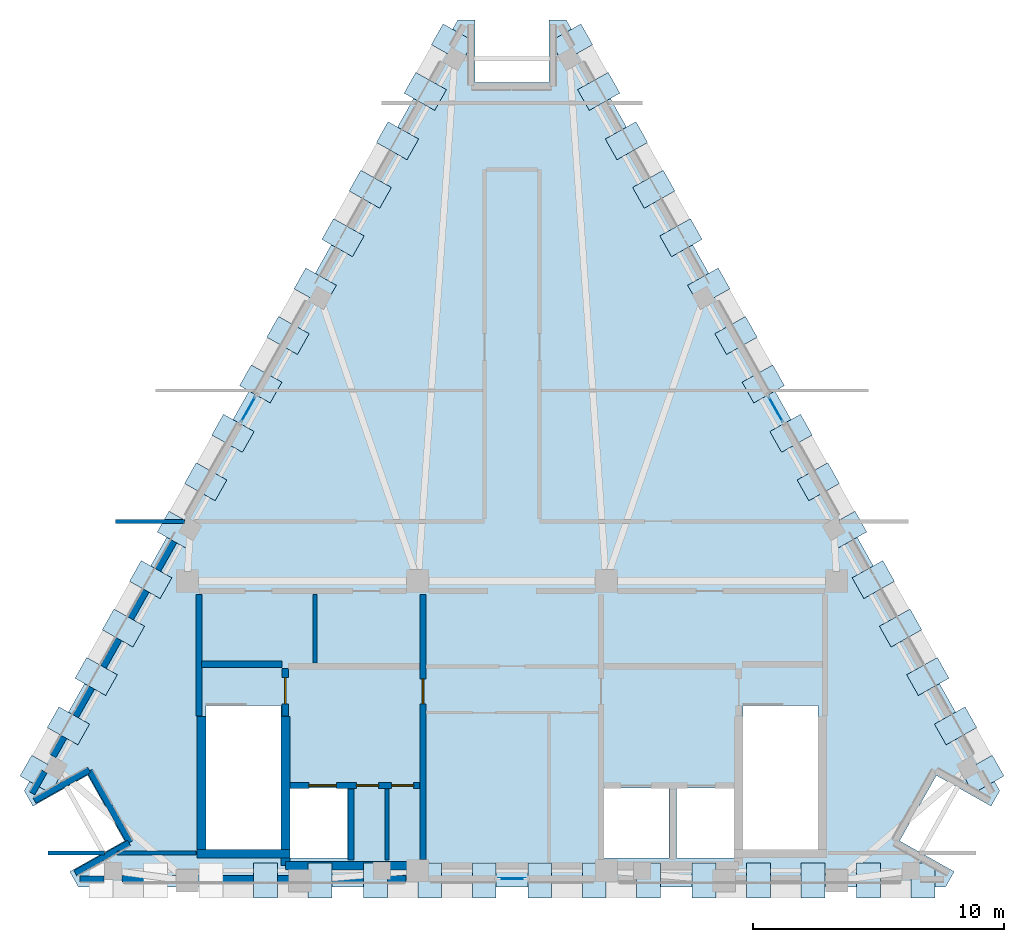
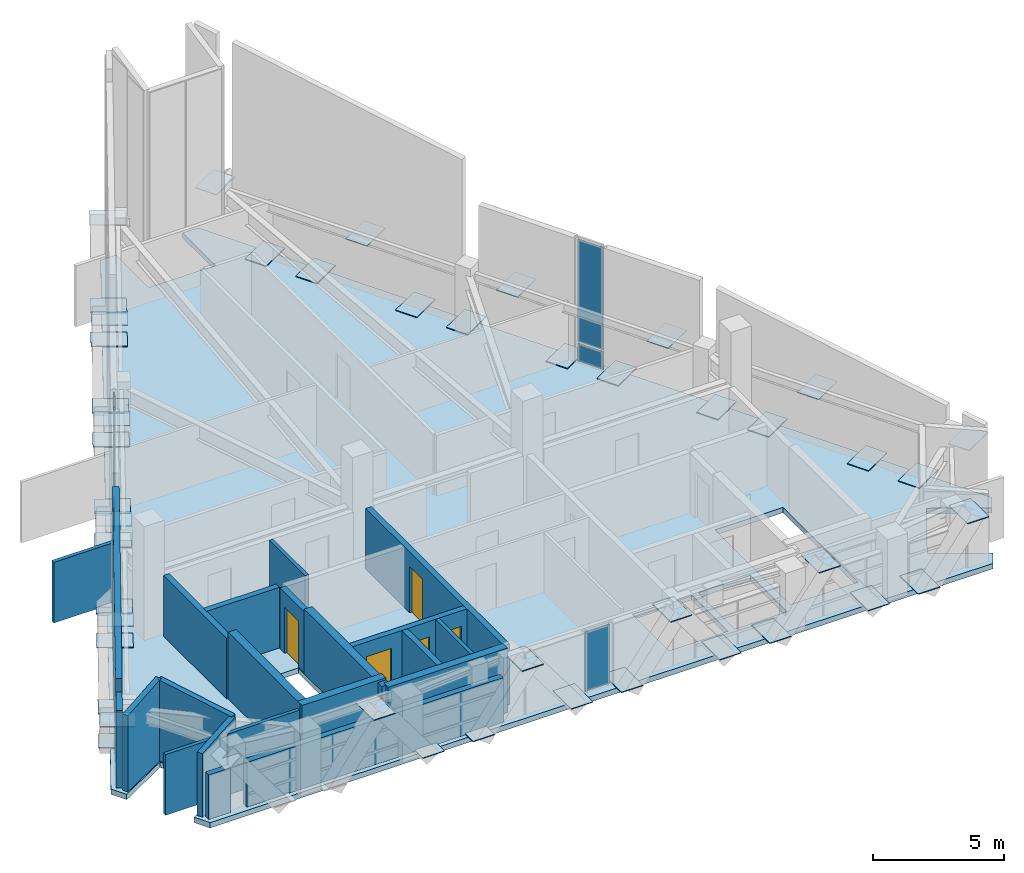
# One storey, part 3 of 7: 50 plates, 22 walls, 5 doors, 1 slab, 5 openings, 3 elements without a shape of their own.
"""IFC4 building model written with IfcOpenShell, lengths in metres."""

from ifc_helpers import new_model, si_unit, direction, frame, frame_2d, origin, origin_2d, place, context, subcontext, project, spatial, polyline, rectangle, outline, extrude, material, layer, layer_set, type_object, element, fill, aggregate, save


model = new_model("IFC4")

# Units and contexts
model_context = context("Model", 3, precision=1e-05, world=origin(), true_north=direction((0.0, 1.0)))
body_context = subcontext(model_context, "Body", "Model", "MODEL_VIEW")
ifc_project = project(units=[si_unit("LENGTHUNIT", "METRE"), si_unit("AREAUNIT", "SQUARE_METRE"), si_unit("VOLUMEUNIT", "CUBIC_METRE"), si_unit("PLANEANGLEUNIT", "RADIAN"), si_unit("MASSUNIT", "GRAM", prefix="KILO")], contexts=[model_context])

# Site, building, storey
site_placement = place(None, origin())
site = spatial("IfcSite", under=ifc_project, at=site_placement, CompositionType="ELEMENT")
building_placement = place(site_placement, origin())
building = spatial("IfcBuilding", under=site, at=building_placement, Name="Quenlor Broadcast Tower", CompositionType="ELEMENT")
storey_placement = place(building_placement, frame((0.0, 0.0, 286.89990234375)))
storey = spatial("IfcBuildingStorey", under=building, at=storey_placement, Name="L80", CompositionType="ELEMENT", Elevation=286.89990234375)

# Curtain wall, plate
ifc_material_1 = material(Name="Architectural Terracotta and Low-E Glazing", Category="masonry")
curtain_wall_type = type_object("IfcCurtainWallType", Name="Station Concourse and Crown Terracotta Curtain Wall", PredefinedType="NOTDEFINED", material=ifc_material_1)
curtain_wall_1_placement = place(storey_placement, origin())
curtain_wall_1 = element("IfcCurtainWall", 1, at=curtain_wall_1_placement, inside=storey, type_object=curtain_wall_type, Name="L80 Curtain Wall CW6 (L80-S-G1)", PredefinedType="NOTDEFINED")
ifc_material_2 = material(Name="Double Glazed Low-E Solar Glass", Category="glass")
ifc_layer_1 = layer(ifc_material_2, 0.033935546875)
ifc_layer_set_1 = layer_set([ifc_layer_1], Name="CW6 Double Glazed Vision Panel 34")
plate_type_1 = type_object("IfcPlateType", Name="CW6 Double Glazed Vision Panel 34", PredefinedType="CURTAIN_PANEL", material=ifc_layer_set_1)
plate_1_placement = place(storey_placement, frame((0.0, -16.675048828125, 0.08203125), z_axis=(0.0, 0.0, 1.0), x_axis=(-1.0, 0.0, 0.0)))
plate_1 = element("IfcPlate", 2, at=plate_1_placement, type_object=plate_type_1, Name="CW6 panel 1.1", PredefinedType="CURTAIN_PANEL", context=body_context, shape_type="SweptSolid", body=[
    extrude(rectangle(XDim=1.08154296875, YDim=0.033935546875, at=origin_2d()), origin(), (0.0, 0.0, 1.0), 2.752197265625),
])
aggregate(curtain_wall_1, [plate_1])

# Curtain wall, plates
curtain_wall_2_placement = place(storey_placement, origin())
curtain_wall_2 = element("IfcCurtainWall", 3, at=curtain_wall_2_placement, inside=storey, type_object=curtain_wall_type, Name="L80 Curtain Wall CW6 (L80-NE-G1)", PredefinedType="NOTDEFINED")
plate_2_placement = place(storey_placement, frame((10.5166015625, 2.040771484375, 0.08203125), z_axis=(0.0, 0.0, 1.0), x_axis=(0.490290565837, -0.871559040485, 0.0)))
plate_2 = element("IfcPlate", 4, at=plate_2_placement, type_object=plate_type_1, Name="CW6 panel 1.1", PredefinedType="CURTAIN_PANEL", context=body_context, shape_type="SweptSolid", body=[
    extrude(rectangle(XDim=1.131103515625, YDim=0.033935546875, at=origin_2d()), origin(), (0.0, 0.0, 1.0), 0.826904296875),
])
plate_3_placement = place(storey_placement, frame((10.5166015625, 2.040771484375, 0.9912109375), z_axis=(0.0, 0.0, 1.0), x_axis=(0.490290565837, -0.871559040485, 0.0)))
plate_3 = element("IfcPlate", 5, at=plate_3_placement, type_object=plate_type_1, Name="CW6 panel 1.2", PredefinedType="CURTAIN_PANEL", context=body_context, shape_type="SweptSolid", body=[
    extrude(rectangle(XDim=1.131103515625, YDim=0.033935546875, at=origin_2d()), origin(), (0.0, 0.0, 1.0), 4.779052734375),
])
aggregate(curtain_wall_2, [plate_2, plate_3])

curtain_wall_3_placement = place(storey_placement, origin())
curtain_wall_3 = element("IfcCurtainWall", 6, at=curtain_wall_3_placement, inside=storey, type_object=curtain_wall_type, Name="L80 Curtain Wall CW6 (L80-NW-G1)", PredefinedType="NOTDEFINED")
plate_4_placement = place(storey_placement, frame((-10.5166015625, 2.040771484375, 0.08203125), z_axis=(0.0, 0.0, 1.0), x_axis=(0.490290565837, 0.871559040485, 0.0)))
plate_4 = element("IfcPlate", 7, at=plate_4_placement, type_object=plate_type_1, Name="CW6 panel 1.1", PredefinedType="CURTAIN_PANEL", context=body_context, shape_type="SweptSolid", body=[
    extrude(rectangle(XDim=1.131103515625, YDim=0.033935546875, at=origin_2d()), origin(), (0.0, 0.0, 1.0), 0.826904296875),
])
plate_5_placement = place(storey_placement, frame((-10.5166015625, 2.040771484375, 0.9912109375), z_axis=(0.0, 0.0, 1.0), x_axis=(0.490290565837, 0.871559040485, 0.0)))
plate_5 = element("IfcPlate", 8, at=plate_5_placement, type_object=plate_type_1, Name="CW6 panel 1.2", PredefinedType="CURTAIN_PANEL", context=body_context, shape_type="SweptSolid", body=[
    extrude(rectangle(XDim=1.131103515625, YDim=0.033935546875, at=origin_2d()), origin(), (0.0, 0.0, 1.0), 4.779052734375),
])
aggregate(curtain_wall_3, [plate_4, plate_5])

# Slab
ifc_material_3 = material(Name="Concrete C50/60", Category="concrete")
ifc_layer_2 = layer(ifc_material_3, 0.320068359375)
ifc_layer_set_2 = layer_set([ifc_layer_2], Name="Crown Plant Concrete C50/60 Slab 320")
slab_type = type_object("IfcSlabType", Name="Crown Plant Concrete C50/60 Slab 320", PredefinedType="FLOOR", material=ifc_layer_set_2)
slab_placement = place(storey_placement, frame((0.0, 0.0, -0.25)))
element("IfcSlab", 9, at=slab_placement, inside=storey, type_object=slab_type, Name="L80 Structural Floor Slab", PredefinedType="FLOOR", context=body_context, shape_type="SweptSolid", body=[
    extrude(outline(polyline([(17.280029296875, -17.0), (17.62548828125, -16.385498046875), (15.44677734375, -15.159912109375), (16.91552734375, -12.548583984375), (19.094482421875, -13.7744140625), (19.43994140625, -13.159912109375), (2.159912109375, 17.56005859375), (1.46875, 17.56005859375), (1.46875, 15.06005859375), (-1.46875, 15.06005859375), (-1.46875, 17.56005859375), (-2.159912109375, 17.56005859375), (-19.43994140625, -13.159912109375), (-19.094482421875, -13.7744140625), (-16.91552734375, -12.548583984375), (-15.44677734375, -15.159912109375), (-17.62548828125, -16.385498046875), (-17.280029296875, -17.0), (17.280029296875, -17.0)]), holes=[polyline([(-12.199951171875, -9.758056640625), (-12.199951171875, -15.5), (-9.199951171875, -15.5), (-9.199951171875, -9.758056640625), (-12.199951171875, -9.758056640625)]), polyline([(9.199951171875, -9.758056640625), (9.199951171875, -15.5), (12.199951171875, -15.5), (12.199951171875, -9.758056640625), (9.199951171875, -9.758056640625)]), polyline([(-8.85009765625, -15.85009765625), (-6.550048828125, -15.85009765625), (-6.550048828125, -13.050048828125), (-8.85009765625, -13.050048828125), (-8.85009765625, -15.85009765625)]), polyline([(6.550048828125, -15.85009765625), (8.85009765625, -15.85009765625), (8.85009765625, -13.050048828125), (6.550048828125, -13.050048828125), (6.550048828125, -15.85009765625)]), polyline([(3.64990234375, -15.85009765625), (6.25, -15.85009765625), (6.25, -13.050048828125), (3.64990234375, -13.050048828125), (3.64990234375, -15.85009765625)])]), origin(), (0.0, 0.0, 1.0), 0.25),
])

# Plates
ifc_material_4 = material(Name="Steel S355", Category="steel")
ifc_layer_3 = layer(ifc_material_4, 0.035888671875)
ifc_layer_set_3 = layer_set([ifc_layer_3], Name="Transfer Truss Steel S355 Gusset Node Plate 1400x950x36")
plate_type_2 = type_object("IfcPlateType", Name="Transfer Truss Steel S355 Gusset Node Plate 1400x950x36", PredefinedType="SHEET", material=ifc_layer_set_3)
for number, where, z_axis, x_axis, name in (
    (10, (11.998779296875, -16.735107421875, 0.0419921875), (0.0, 0.0, 1.0), (0.0, -1.0, 0.0), "L80 Lattice Tie Gusset Node S-B2"),
    (11, (9.827880859375, -16.735107421875, 2.56787109375), (0.0, 0.0, 1.0), (0.0, -1.0, 0.0), "L80 Lattice Tie Gusset Node S-T3"),
    (12, (14.208984375, -16.735107421875, 0.0419921875), (0.0, 0.0, 1.0), (0.0, -1.0, 0.0), "L80 Lattice Tie Gusset Node S-B1"),
    (13, (16.3798828125, -16.735107421875, 2.56787109375), (0.0, 0.0, 1.0), (0.0, -1.0, 0.0), "L80 Lattice Tie Gusset Node S-T0"),
    (14, (5.447021484375, -16.735107421875, 0.0419921875), (0.0, 0.0, 1.0), (0.0, -1.0, 0.0), "L80 Lattice Tie Gusset Node S-B5"),
    (15, (3.27587890625, -16.735107421875, 2.56787109375), (0.0, 0.0, 1.0), (0.0, -1.0, 0.0), "L80 Lattice Tie Gusset Node S-T6"),
    (16, (7.656982421875, -16.735107421875, 0.0419921875), (0.0, 0.0, 1.0), (0.0, -1.0, 0.0), "L80 Lattice Tie Gusset Node S-B4"),
    (17, (-1.10498046875, -16.735107421875, 0.0419921875), (0.0, 0.0, 1.0), (0.0, -1.0, 0.0), "L80 Lattice Tie Gusset Node S-B8"),
    (18, (-3.27587890625, -16.735107421875, 2.56787109375), (0.0, 0.0, 1.0), (0.0, -1.0, 0.0), "L80 Lattice Tie Gusset Node S-T9"),
    (19, (1.10498046875, -16.735107421875, 0.0419921875), (0.0, 0.0, 1.0), (0.0, -1.0, 0.0), "L80 Lattice Tie Gusset Node S-B7"),
    (20, (-7.656982421875, -16.735107421875, 0.0419921875), (0.0, 0.0, 1.0), (0.0, -1.0, 0.0), "L80 Lattice Tie Gusset Node S-B11"),
    (21, (-9.827880859375, -16.735107421875, 2.56787109375), (0.0, 0.0, 1.0), (0.0, -1.0, 0.0), "L80 Lattice Tie Gusset Node S-T12"),
    (22, (-5.447021484375, -16.735107421875, 0.0419921875), (0.0, 0.0, 1.0), (0.0, -1.0, 0.0), "L80 Lattice Tie Gusset Node S-B10"),
    (23, (4.56298828125, 12.747314453125, 0.0419921875), (0.0, 0.0, 1.0), (0.871556314255, 0.490295412055, 0.0), "L80 Lattice Tie Gusset Node NE-B2"),
    (24, (5.649658203125, 10.8154296875, 2.5751953125), (0.0, 0.0, 1.0), (0.871556314255, 0.490295412055, 0.0), "L80 Lattice Tie Gusset Node NE-T3"),
    (25, (3.456787109375, 14.7138671875, 0.0419921875), (0.0, 0.0, 1.0), (0.871556314255, 0.490295412055, 0.0), "L80 Lattice Tie Gusset Node NE-B1"),
    (26, (2.3701171875, 16.645751953125, 2.5751953125), (0.0, 0.0, 1.0), (0.871556314255, 0.490295412055, 0.0), "L80 Lattice Tie Gusset Node NE-T0"),
    (27, (7.842529296875, 6.9169921875, 0.0419921875), (0.0, 0.0, 1.0), (0.871556314255, 0.490295412055, 0.0), "L80 Lattice Tie Gusset Node NE-B5"),
    (28, (8.92919921875, 4.985107421875, 2.5751953125), (0.0, 0.0, 1.0), (0.871556314255, 0.490295412055, 0.0), "L80 Lattice Tie Gusset Node NE-T6"),
    (29, (6.736328125, 8.8837890625, 0.0419921875), (0.0, 0.0, 1.0), (0.871556314255, 0.490295412055, 0.0), "L80 Lattice Tie Gusset Node NE-B4"),
    (30, (11.1220703125, 1.086669921875, 0.0419921875), (0.0, 0.0, 1.0), (0.871556314255, 0.490295412055, 0.0), "L80 Lattice Tie Gusset Node NE-B8"),
    (31, (12.208740234375, -0.844970703125, 2.5751953125), (0.0, 0.0, 1.0), (0.871556314255, 0.490295412055, 0.0), "L80 Lattice Tie Gusset Node NE-T9"),
    (32, (10.015869140625, 3.053466796875, 0.0419921875), (0.0, 0.0, 1.0), (0.871556314255, 0.490295412055, 0.0), "L80 Lattice Tie Gusset Node NE-B7"),
    (33, (14.401611328125, -4.743408203125, 0.0419921875), (0.0, 0.0, 1.0), (0.871556314255, 0.490295412055, 0.0), "L80 Lattice Tie Gusset Node NE-B11"),
    (34, (15.48828125, -6.67529296875, 2.5751953125), (0.0, 0.0, 1.0), (0.871556314255, 0.490295412055, 0.0), "L80 Lattice Tie Gusset Node NE-T12"),
    (35, (13.29541015625, -2.77685546875, 0.0419921875), (0.0, 0.0, 1.0), (0.871556314255, 0.490295412055, 0.0), "L80 Lattice Tie Gusset Node NE-B10"),
    (36, (17.68115234375, -10.57373046875, 0.0419921875), (0.0, 0.0, 1.0), (0.871556314255, 0.490295412055, 0.0), "L80 Lattice Tie Gusset Node NE-B14"),
    (37, (18.767822265625, -12.505615234375, 2.5751953125), (0.0, 0.0, 1.0), (0.871556314255, 0.490295412055, 0.0), "L80 Lattice Tie Gusset Node NE-T15"),
    (38, (16.574951171875, -8.60693359375, 0.0419921875), (0.0, 0.0, 1.0), (0.871556314255, 0.490295412055, 0.0), "L80 Lattice Tie Gusset Node NE-B13"),
    (39, (-16.574951171875, -8.60693359375, 0.0419921875), (0.0, 0.0, 1.0), (-0.871556314255, 0.490295412055, 0.0), "L80 Lattice Tie Gusset Node NW-B2"),
    (40, (-15.48828125, -6.67529296875, 2.5751953125), (0.0, 0.0, 1.0), (-0.871556314255, 0.490295412055, 0.0), "L80 Lattice Tie Gusset Node NW-T3"),
    (41, (-17.68115234375, -10.57373046875, 0.0419921875), (0.0, 0.0, 1.0), (-0.871556314255, 0.490295412055, 0.0), "L80 Lattice Tie Gusset Node NW-B1"),
    (42, (-18.767822265625, -12.505615234375, 2.5751953125), (0.0, 0.0, 1.0), (-0.871556314255, 0.490295412055, 0.0), "L80 Lattice Tie Gusset Node NW-T0"),
    (43, (-13.29541015625, -2.77685546875, 0.0419921875), (0.0, 0.0, 1.0), (-0.871556314255, 0.490295412055, 0.0), "L80 Lattice Tie Gusset Node NW-B5"),
    (44, (-12.208740234375, -0.844970703125, 2.5751953125), (0.0, 0.0, 1.0), (-0.871556314255, 0.490295412055, 0.0), "L80 Lattice Tie Gusset Node NW-T6"),
    (45, (-14.401611328125, -4.743408203125, 0.0419921875), (0.0, 0.0, 1.0), (-0.871556314255, 0.490295412055, 0.0), "L80 Lattice Tie Gusset Node NW-B4"),
    (46, (-10.015869140625, 3.053466796875, 0.0419921875), (0.0, 0.0, 1.0), (-0.871556314255, 0.490295412055, 0.0), "L80 Lattice Tie Gusset Node NW-B8"),
    (47, (-8.92919921875, 4.985107421875, 2.5751953125), (0.0, 0.0, 1.0), (-0.871556314255, 0.490295412055, 0.0), "L80 Lattice Tie Gusset Node NW-T9"),
    (48, (-11.1220703125, 1.086669921875, 0.0419921875), (0.0, 0.0, 1.0), (-0.871556314255, 0.490295412055, 0.0), "L80 Lattice Tie Gusset Node NW-B7"),
    (49, (-6.736328125, 8.8837890625, 0.0419921875), (0.0, 0.0, 1.0), (-0.871556314255, 0.490295412055, 0.0), "L80 Lattice Tie Gusset Node NW-B11"),
    (50, (-5.649658203125, 10.8154296875, 2.5751953125), (0.0, 0.0, 1.0), (-0.871556314255, 0.490295412055, 0.0), "L80 Lattice Tie Gusset Node NW-T12"),
    (51, (-7.842529296875, 6.9169921875, 0.0419921875), (0.0, 0.0, 1.0), (-0.871556314255, 0.490295412055, 0.0), "L80 Lattice Tie Gusset Node NW-B10"),
    (52, (-3.456787109375, 14.7138671875, 0.0419921875), (0.0, 0.0, 1.0), (-0.871556314255, 0.490295412055, 0.0), "L80 Lattice Tie Gusset Node NW-B14"),
    (53, (-2.3701171875, 16.645751953125, 2.5751953125), (0.0, 0.0, 1.0), (-0.871556314255, 0.490295412055, 0.0), "L80 Lattice Tie Gusset Node NW-T15"),
    (54, (-4.56298828125, 12.747314453125, 0.0419921875), (0.0, 0.0, 1.0), (-0.871556314255, 0.490295412055, 0.0), "L80 Lattice Tie Gusset Node NW-B13"),
):
    element("IfcPlate", number, at=place(storey_placement, frame(where, z_axis=z_axis, x_axis=x_axis)), inside=storey, type_object=plate_type_2, Name=name, PredefinedType="SHEET", context=body_context, shape_type="SweptSolid", body=[
        extrude(rectangle(XDim=1.39990234375, YDim=0.949951171875, at=origin_2d()), origin(), (0.0, 0.0, 1.0), 0.035888671875),
    ])

# Walls
ifc_material_5 = material(Name="Concrete C50/60", Category="concrete")
ifc_layer_4 = layer(ifc_material_5, 0.35009765625)
ifc_layer_set_4 = layer_set([ifc_layer_4], Name="Core Concrete C50/60 Shear Wall 350")
wall_type_1 = type_object("IfcWallType", Name="Core Concrete C50/60 Shear Wall 350", PredefinedType="SHEAR", material=ifc_layer_set_4)
wall_1_placement = place(storey_placement, frame((-12.550048828125, -15.675048828125, 0.0), z_axis=(0.0, 0.0, 1.0), x_axis=(1.0, 0.0, 0.0)))
element("IfcWall", 55, at=wall_1_placement, inside=storey, type_object=wall_type_1, Name="L80 Core Shear Wall WS-W1", PredefinedType="SHEAR", context=body_context, shape_type="SweptSolid", body=[
    extrude(rectangle(XDim=3.699951171875, YDim=0.35009765625, at=frame_2d((1.85009765625, 0.0))), origin(), (0.0, 0.0, 1.0), 3.109619140625),
])
wall_2_placement = place(storey_placement, frame((-9.02490234375, -16.14990234375, 0.0), z_axis=(0.0, 0.0, 1.0), x_axis=(1.0, 0.0, 0.0)))
element("IfcWall", 56, at=wall_2_placement, inside=storey, type_object=wall_type_1, Name="L80 Core Shear Wall WS-W2", PredefinedType="SHEAR", context=body_context, shape_type="SweptSolid", body=[
    extrude(rectangle(XDim=5.27490234375, YDim=0.35009765625, at=frame_2d((2.637451171875, 0.0))), origin(), (0.0, 0.0, 1.0), 3.012939453125),
])
wall_3_placement = place(storey_placement, frame((-12.375, -15.675048828125, 0.0), z_axis=(0.0, 0.0, 1.0), x_axis=(0.0, 1.0, 0.0)))
element("IfcWall", 57, at=wall_3_placement, inside=storey, type_object=wall_type_1, Name="L80 Core Shear Wall WF-W", PredefinedType="SHEAR", context=body_context, shape_type="SweptSolid", body=[
    extrude(rectangle(XDim=5.47509765625, YDim=0.35009765625, at=frame_2d((2.737548828125, 0.0))), origin(), (0.0, 0.0, 1.0), 3.109619140625),
])
wall_4_placement = place(storey_placement, frame((-9.02490234375, -16.14990234375, 0.0), z_axis=(0.0, 0.0, 1.0), x_axis=(0.0, 1.0, 0.0)))
element("IfcWall", 58, at=wall_4_placement, inside=storey, type_object=wall_type_1, Name="L80 Core Shear Wall WI-W", PredefinedType="SHEAR", context=body_context, shape_type="SweptSolid", body=[
    extrude(rectangle(XDim=5.949951171875, YDim=0.35009765625, at=frame_2d((2.97509765625, 0.0))), origin(), (0.0, 0.0, 1.0), 3.012939453125),
])

# Wall, opening, door
ifc_material_6 = material(Name="Concrete C40/50", Category="concrete")
ifc_layer_5 = layer(ifc_material_6, 0.25)
ifc_layer_set_5 = layer_set([ifc_layer_5], Name="Fire Rated Concrete C40/50 Core Wall 250")
wall_type_2 = type_object("IfcWallType", Name="Fire Rated Concrete C40/50 Core Wall 250", PredefinedType="PARTITIONING", material=ifc_layer_set_5)
wall_5_placement = place(storey_placement, frame((-9.0400390625, -10.179931640625, 0.0), z_axis=(0.0, 0.0, 1.0), x_axis=(0.0, 1.0, 0.0)))
wall_5 = element("IfcWall", 59, at=wall_5_placement, inside=storey, type_object=wall_type_2, Name="L80 Interior Wall CW-ST1-DR", PredefinedType="PARTITIONING", context=body_context, shape_type="SweptSolid", body=[
    extrude(rectangle(XDim=1.89990234375, YDim=0.25, at=frame_2d((0.949951171875, 0.0))), origin(), (0.0, 0.0, 1.0), 2.8330078125),
])
opening_1_placement = place(wall_5_placement, frame((0.47998046875, 0.0, 0.0)))
opening_1 = element("IfcOpeningElement", 60, at=opening_1_placement, cuts=wall_5, Name="Opening FD-1", PredefinedType="OPENING", context=body_context, shape_type="SweptSolid", body=[
    extrude(rectangle(XDim=1.050048828125, YDim=2.14990234375, at=frame_2d((0.52490234375, 1.074951171875))), frame((0.0, 0.135009765625, 0.0), z_axis=(0.0, -1.0, 0.0), x_axis=(1.0, 0.0, 0.0)), (0.0, 0.0, 1.0), 0.27001953125),
])
ifc_material_7 = material(Name="Fire Rated Steel Door Leaf", Category="steel")
door_type_1 = type_object("IfcDoorType", Name="Fire Isolated Stair Door 1050x2150", OperationType="NOTDEFINED", PredefinedType="DOOR", material=ifc_material_7)
door_1_placement = place(opening_1_placement, origin())
door_1 = element("IfcDoor", 61, at=door_1_placement, inside=storey, type_object=door_type_1, Name="L80 Door DR-ST1", OperationType="SINGLE_SWING_LEFT", OverallHeight=2.14990234375, OverallWidth=1.050048828125, PredefinedType="DOOR", context=body_context, shape_type="SweptSolid", body=[
    extrude(rectangle(XDim=1.050048828125, YDim=2.14990234375, at=frame_2d((0.52490234375, 1.074951171875))), frame((0.0, 0.02490234375, 0.0), z_axis=(0.0, -1.0, 0.0), x_axis=(1.0, 0.0, 0.0)), (0.0, 0.0, 1.0), 0.050048828125),
])
fill(opening_1, door_1)

# Walls
wall_6_placement = place(storey_placement, frame((-12.3798828125, -8.1201171875, 0.0), z_axis=(0.0, 0.0, 1.0), x_axis=(1.0, 0.0, 0.0)))
element("IfcWall", 62, at=wall_6_placement, inside=storey, type_object=wall_type_2, Name="L80 Interior Wall CW-ST1-N", PredefinedType="PARTITIONING", context=body_context, shape_type="SweptSolid", body=[
    extrude(rectangle(XDim=3.219970703125, YDim=0.25, at=frame_2d((1.60986328125, 0.0))), origin(), (0.0, 0.0, 1.0), 2.8330078125),
])
wall_7_placement = place(storey_placement, frame((-12.47998046875, -10.179931640625, 0.0), z_axis=(0.0, 0.0, 1.0), x_axis=(0.0, 1.0, 0.0)))
element("IfcWall", 63, at=wall_7_placement, inside=storey, type_object=wall_type_2, Name="L80 Interior Wall CW-ST1-W2", PredefinedType="PARTITIONING", context=body_context, shape_type="SweptSolid", body=[
    extrude(rectangle(XDim=4.83984375, YDim=0.25, at=frame_2d((2.419921875, 0.0))), origin(), (0.0, 0.0, 1.0), 2.8330078125),
])

# Wall, openings, doors
wall_8_placement = place(storey_placement, frame((-8.847900390625, -12.949951171875, 0.0), z_axis=(0.0, 0.0, 1.0), x_axis=(1.0, 0.0, 0.0)))
wall_8 = element("IfcWall", 64, at=wall_8_placement, inside=storey, type_object=wall_type_2, Name="L80 Interior Wall CW-FFW-S", PredefinedType="PARTITIONING", context=body_context, shape_type="SweptSolid", body=[
    extrude(rectangle(XDim=5.16796875, YDim=0.25, at=frame_2d((2.583984375, 0.0))), origin(), (0.0, 0.0, 1.0), 2.8330078125),
])
opening_2_placement = place(wall_8_placement, frame((0.748046875, 0.0, 0.0)))
opening_2 = element("IfcOpeningElement", 65, at=opening_2_placement, cuts=wall_8, Name="Opening LD-FFL-1", PredefinedType="OPENING", context=body_context, shape_type="SweptSolid", body=[
    extrude(rectangle(XDim=1.10009765625, YDim=2.14990234375, at=frame_2d((0.550048828125, 1.074951171875))), frame((0.0, 0.135009765625, 0.0), z_axis=(0.0, -1.0, 0.0), x_axis=(1.0, 0.0, 0.0)), (0.0, 0.0, 1.0), 0.27001953125),
])
opening_3_placement = place(wall_8_placement, frame((2.64794921875, 0.0, 0.0)))
opening_3 = element("IfcOpeningElement", 66, at=opening_3_placement, cuts=wall_8, Name="Opening TD-1", PredefinedType="OPENING", context=body_context, shape_type="SweptSolid", body=[
    extrude(rectangle(XDim=0.8798828125, YDim=2.10009765625, at=frame_2d((0.43994140625, 1.050048828125))), frame((0.0, 0.135009765625, 0.0), z_axis=(0.0, -1.0, 0.0), x_axis=(1.0, 0.0, 0.0)), (0.0, 0.0, 1.0), 0.27001953125),
])
opening_4_placement = place(wall_8_placement, frame((4.048095703125, 0.0, 0.0)))
opening_4 = element("IfcOpeningElement", 67, at=opening_4_placement, cuts=wall_8, Name="Opening TD-1", PredefinedType="OPENING", context=body_context, shape_type="SweptSolid", body=[
    extrude(rectangle(XDim=0.8798828125, YDim=2.10009765625, at=frame_2d((0.43994140625, 1.050048828125))), frame((0.0, 0.135009765625, 0.0), z_axis=(0.0, -1.0, 0.0), x_axis=(1.0, 0.0, 0.0)), (0.0, 0.0, 1.0), 0.27001953125),
])
ifc_material_8 = material(Name="Brushed Stainless Steel", Category="steel")
door_type_2 = type_object("IfcDoorType", Name="Emergency Lift Sliding Landing Door 1100x2150", OperationType="NOTDEFINED", PredefinedType="DOOR", material=ifc_material_8)
door_2_placement = place(opening_2_placement, origin())
door_2 = element("IfcDoor", 68, at=door_2_placement, inside=storey, type_object=door_type_2, Name="L80 Door LD-FFL-1", OperationType="SLIDING_TO_LEFT", OverallHeight=2.14990234375, OverallWidth=1.10009765625, PredefinedType="DOOR", context=body_context, shape_type="SweptSolid", body=[
    extrude(rectangle(XDim=1.10009765625, YDim=2.14990234375, at=frame_2d((0.550048828125, 1.074951171875))), frame((0.0, 0.02490234375, 0.0), z_axis=(0.0, -1.0, 0.0), x_axis=(1.0, 0.0, 0.0)), (0.0, 0.0, 1.0), 0.050048828125),
])
fill(opening_2, door_2)
ifc_material_9 = material(Name="Fire Rated Steel Access Panel", Category="steel")
door_type_3 = type_object("IfcDoorType", Name="Riser Shaft Rated Access Trapdoor 880x2100", OperationType="NOTDEFINED", PredefinedType="TRAPDOOR", material=ifc_material_9)
door_3_placement = place(opening_3_placement, origin())
door_3 = element("IfcDoor", 69, at=door_3_placement, inside=storey, type_object=door_type_3, Name="L80 Door DR-ELR", OperationType="SINGLE_SWING_LEFT", OverallHeight=2.10009765625, OverallWidth=0.8798828125, PredefinedType="TRAPDOOR", context=body_context, shape_type="SweptSolid", body=[
    extrude(rectangle(XDim=0.8798828125, YDim=2.10009765625, at=frame_2d((0.43994140625, 1.050048828125))), frame((0.0, 0.02490234375, 0.0), z_axis=(0.0, -1.0, 0.0), x_axis=(1.0, 0.0, 0.0)), (0.0, 0.0, 1.0), 0.050048828125),
])
fill(opening_3, door_3)
door_4_placement = place(opening_4_placement, origin())
door_4 = element("IfcDoor", 70, at=door_4_placement, inside=storey, type_object=door_type_3, Name="L80 Door DR-CMR", OperationType="SINGLE_SWING_RIGHT", OverallHeight=2.10009765625, OverallWidth=0.8798828125, PredefinedType="TRAPDOOR", context=body_context, shape_type="SweptSolid", body=[
    extrude(rectangle(XDim=0.8798828125, YDim=2.10009765625, at=frame_2d((0.43994140625, 1.050048828125))), frame((0.0, 0.02490234375, 0.0), z_axis=(0.0, -1.0, 0.0), x_axis=(1.0, 0.0, 0.0)), (0.0, 0.0, 1.0), 0.050048828125),
])
fill(opening_4, door_4)

# Wall
wall_9_placement = place(storey_placement, frame((-6.419921875, -15.919921875, 0.0), z_axis=(0.0, 0.0, 1.0), x_axis=(0.0, 1.0, 0.0)))
element("IfcWall", 71, at=wall_9_placement, inside=storey, type_object=wall_type_2, Name="L80 Interior Wall CW-FF1-E", PredefinedType="PARTITIONING", context=body_context, shape_type="SweptSolid", body=[
    extrude(rectangle(XDim=2.829833984375, YDim=0.25, at=frame_2d((1.4150390625, 0.0))), origin(), (0.0, 0.0, 1.0), 2.8330078125),
])

# Wall, opening, door
wall_10_placement = place(storey_placement, frame((-3.550048828125, -15.89794921875, 0.0), z_axis=(0.0, 0.0, 1.0), x_axis=(0.0, 1.0, 0.0)))
wall_10 = element("IfcWall", 72, at=wall_10_placement, inside=storey, type_object=wall_type_2, Name="L80 Interior Wall CW-FFW-E", PredefinedType="PARTITIONING", context=body_context, shape_type="SweptSolid", body=[
    extrude(rectangle(XDim=10.557861328125, YDim=0.25, at=frame_2d((5.27880859375, 0.0))), origin(), (0.0, 0.0, 1.0), 2.8330078125),
])
opening_5_placement = place(wall_10_placement, frame((6.197998046875, 0.0, 0.0)))
opening_5 = element("IfcOpeningElement", 73, at=opening_5_placement, cuts=wall_10, Name="Opening FD-2", PredefinedType="OPENING", context=body_context, shape_type="SweptSolid", body=[
    extrude(rectangle(XDim=1.0, YDim=2.14990234375, at=frame_2d((0.5, 1.074951171875))), frame((0.0, 0.135009765625, 0.0), z_axis=(0.0, -1.0, 0.0), x_axis=(1.0, 0.0, 0.0)), (0.0, 0.0, 1.0), 0.27001953125),
])
ifc_material_10 = material(Name="Fire Rated Glazed Steel Door", Category="steel")
door_type_4 = type_object("IfcDoorType", Name="Firefighting Lobby Smoke Door 1000x2150", OperationType="NOTDEFINED", PredefinedType="DOOR", material=ifc_material_10)
door_5_placement = place(opening_5_placement, origin())
door_5 = element("IfcDoor", 74, at=door_5_placement, inside=storey, type_object=door_type_4, Name="L80 Door DR-FFLW", OperationType="SINGLE_SWING_RIGHT", OverallHeight=2.14990234375, OverallWidth=1.0, PredefinedType="DOOR", context=body_context, shape_type="SweptSolid", body=[
    extrude(rectangle(XDim=1.0, YDim=2.14990234375, at=frame_2d((0.5, 1.074951171875))), frame((0.0, 0.02490234375, 0.0), z_axis=(0.0, -1.0, 0.0), x_axis=(1.0, 0.0, 0.0)), (0.0, 0.0, 1.0), 0.050048828125),
])
fill(opening_5, door_5)

# Walls
ifc_material_11 = material(Name="Gypsum Fireboard Partition", Category="other")
ifc_layer_6 = layer(ifc_material_11, 0.159912109375)
ifc_layer_set_6 = layer_set([ifc_layer_6], Name="Fire Rated Shaft and Corridor Partition 160")
wall_type_3 = type_object("IfcWallType", Name="Fire Rated Shaft and Corridor Partition 160", PredefinedType="PARTITIONING", material=ifc_layer_set_6)
wall_11_placement = place(storey_placement, frame((-4.97998046875, -15.919921875, 0.0), z_axis=(0.0, 0.0, 1.0), x_axis=(0.0, 1.0, 0.0)))
element("IfcWall", 75, at=wall_11_placement, inside=storey, type_object=wall_type_3, Name="L80 Interior Wall CW-ELR-E", PredefinedType="PARTITIONING", context=body_context, shape_type="SweptSolid", body=[
    extrude(rectangle(XDim=2.829833984375, YDim=0.159912109375, at=frame_2d((1.4150390625, 0.0))), origin(), (0.0, 0.0, 1.0), 2.8330078125),
])
wall_12_placement = place(storey_placement, frame((-7.85009765625, -8.072998046875, 0.0), z_axis=(0.0, 0.0, 1.0), x_axis=(0.0, 1.0, 0.0)))
element("IfcWall", 76, at=wall_12_placement, inside=storey, type_object=wall_type_3, Name="L80 Interior Wall CW-RCL-MID", PredefinedType="PARTITIONING", context=body_context, shape_type="SweptSolid", body=[
    extrude(rectangle(XDim=2.73291015625, YDim=0.159912109375, at=frame_2d((1.366455078125, 0.0))), origin(), (0.0, 0.0, 1.0), 2.8330078125),
])
wall_13_placement = place(storey_placement, frame((-18.5, -15.64990234375, 0.0), z_axis=(0.0, 0.0, 1.0), x_axis=(1.0, 0.0, 0.0)))
element("IfcWall", 77, at=wall_13_placement, inside=storey, type_object=wall_type_3, Name="L80 Interior Wall PW-PL-SBOTW", PredefinedType="PARTITIONING", context=body_context, shape_type="SweptSolid", body=[
    extrude(rectangle(XDim=2.259521484375, YDim=0.159912109375, at=frame_2d((1.1298828125, 0.0))), origin(), (0.0, 0.0, 1.0), 2.8330078125),
])
wall_14_placement = place(storey_placement, frame((-15.742919921875, -15.64990234375, 0.0), z_axis=(0.0, 0.0, 1.0), x_axis=(1.0, 0.0, 0.0)))
element("IfcWall", 78, at=wall_14_placement, inside=storey, type_object=wall_type_3, Name="L80 Interior Wall PW-PL-SBOTWS2", PredefinedType="PARTITIONING", context=body_context, shape_type="SweptSolid", body=[
    extrude(rectangle(XDim=3.142822265625, YDim=0.159912109375, at=frame_2d((1.5712890625, 0.0))), origin(), (0.0, 0.0, 1.0), 2.8330078125),
])
wall_15_placement = place(storey_placement, frame((-15.800048828125, -2.419921875, 0.0), z_axis=(0.0, 0.0, 1.0), x_axis=(1.0, 0.0, 0.0)))
element("IfcWall", 79, at=wall_15_placement, inside=storey, type_object=wall_type_3, Name="L80 Interior Wall PW-PL-HW", PredefinedType="PARTITIONING", context=body_context, shape_type="SweptSolid", body=[
    extrude(rectangle(XDim=2.7431640625, YDim=0.159912109375, at=frame_2d((1.37158203125, 0.0))), origin(), (0.0, 0.0, 1.0), 2.8330078125),
])
ifc_material_12 = material(Name="Precast concrete C40/50", Category="concrete")
ifc_layer_7 = layer(ifc_material_12, 0.239990234375)
ifc_layer_set_7 = layer_set([ifc_layer_7], Name="Terrace Threshold Precast Concrete C40/50 Wall 240")
wall_type_4 = type_object("IfcWallType", Name="Terrace Threshold Precast Concrete C40/50 Wall 240", PredefinedType="STANDARD", material=ifc_layer_set_7)
wall_16_placement = place(storey_placement, frame((-16.252685546875, -16.675048828125, 0.0), z_axis=(0.0, 0.0, 1.0), x_axis=(-1.0, 0.0, 0.0)))
element("IfcWall", 80, at=wall_16_placement, inside=storey, type_object=wall_type_4, Name="L80 Exterior Wall L80-SHD-SS1", PredefinedType="STANDARD", context=body_context, shape_type="SweptSolid", body=[
    extrude(outline(polyline([(0.0, 0.0), (0.96728515625, 0.0), (0.96728515625, 2.080078125), (0.0, 2.080078125), (0.0, 0.0)])), frame((0.0, 0.1201171875, 0.0), z_axis=(0.0, -1.0, 0.0), x_axis=(1.0, 0.0, 0.0)), (0.0, 0.0, 1.0), 0.239990234375),
])
wall_17_placement = place(storey_placement, frame((-19.127197265625, -13.26708984375, 0.0), z_axis=(0.0, 0.0, 1.0), x_axis=(0.490261239633, 0.871575537125, 0.0)))
element("IfcWall", 81, at=wall_17_placement, inside=storey, type_object=wall_type_4, Name="L80 Exterior Wall L80-SHD-NWS0", PredefinedType="STANDARD", context=body_context, shape_type="SweptSolid", body=[
    extrude(outline(polyline([(0.0, 0.0), (0.994873046875, 0.0), (0.994873046875, 3.785888671875), (0.0, 3.609619140625), (0.0, 0.0)])), frame((0.0, 0.1201171875, 0.0), z_axis=(0.0, -1.0, 0.0), x_axis=(1.0, 0.0, 0.0)), (0.0, 0.0, 1.0), 0.239990234375),
])
ifc_material_13 = material(Name="Precast concrete C40/50", Category="concrete")
ifc_layer_8 = layer(ifc_material_13, 0.260009765625)
ifc_layer_set_8 = layer_set([ifc_layer_8], Name="Terracotta Precast Concrete C40/50 Upper Wall 260")
wall_type_5 = type_object("IfcWallType", Name="Terracotta Precast Concrete C40/50 Upper Wall 260", PredefinedType="STANDARD", material=ifc_layer_set_8)
wall_18_placement = place(storey_placement, frame((-4.219970703125, -16.675048828125, 0.0), z_axis=(0.0, 0.0, 1.0), x_axis=(-1.0, 0.0, 0.0)))
element("IfcWall", 82, at=wall_18_placement, inside=storey, type_object=wall_type_5, Name="L80 Exterior Wall L80-EW-SC", PredefinedType="STANDARD", context=body_context, shape_type="SweptSolid", body=[
    extrude(outline(polyline([(0.0, 0.0), (11.322509765625, 0.0), (11.322509765625, 2.080078125), (0.0, 2.080078125), (0.0, 0.0)])), frame((0.0, 0.1298828125, 0.0), z_axis=(0.0, -1.0, 0.0), x_axis=(1.0, 0.0, 0.0)), (0.0, 0.0, 1.0), 0.260009765625),
])
wall_19_placement = place(storey_placement, frame((-18.29150390625, -11.781005859375, 0.0), z_axis=(0.0, 0.0, 1.0), x_axis=(0.490270316201, 0.871570431492, 0.0)))
element("IfcWall", 83, at=wall_19_placement, inside=storey, type_object=wall_type_5, Name="L80 Exterior Wall L80-EW-NWA", PredefinedType="STANDARD", context=body_context, shape_type="SweptSolid", body=[
    extrude(outline(polyline([(0.0, 0.0), (10.21630859375, 0.0), (10.216552734375, 5.723388671875), (0.0, 3.911865234375), (0.0, 0.0)])), frame((0.0, 0.1298828125, 0.0), z_axis=(0.0, -1.0, 0.0), x_axis=(1.0, 0.0, 0.0)), (0.0, 0.0, 1.0), 0.260009765625),
])
wall_20_placement = place(storey_placement, frame((-19.033447265625, -13.556396484375, 0.0), z_axis=(0.0, 0.0, 1.0), x_axis=(0.871588577066, 0.490238056792, 0.0)))
element("IfcWall", 84, at=wall_20_placement, inside=storey, type_object=wall_type_5, Name="L80 Exterior Wall L80-CNR-13", PredefinedType="STANDARD", context=body_context, shape_type="SweptSolid", body=[
    extrude(outline(polyline([(0.0, 0.0), (2.5, 0.0), (2.5, 3.800048828125), (0.0, 3.55078125), (0.0, 0.0)])), frame((0.0, 0.1201171875, 0.0), z_axis=(0.0, -1.0, 0.0), x_axis=(1.0, 0.0, 0.0)), (0.0, 0.0, 1.0), 0.239990234375),
])
wall_21_placement = place(storey_placement, frame((-16.8349609375, -12.36572265625, 0.0), z_axis=(0.0, 0.0, 1.0), x_axis=(0.490293083368, -0.871557624258, 0.0)))
element("IfcWall", 85, at=wall_21_placement, inside=storey, type_object=wall_type_5, Name="L80 Exterior Wall L80-CNR-14", PredefinedType="STANDARD", context=body_context, shape_type="SweptSolid", body=[
    extrude(outline(polyline([(0.0, 0.0), (3.276123046875, 0.0), (3.27587890625, 3.212158203125), (0.0, 3.79296875), (0.0, 0.0)])), frame((0.0, 0.1201171875, 0.0), z_axis=(0.0, -1.0, 0.0), x_axis=(1.0, 0.0, 0.0)), (0.0, 0.0, 1.0), 0.239990234375),
])
wall_22_placement = place(storey_placement, frame((-15.263671875, -15.240478515625, 0.0), z_axis=(0.0, 0.0, 1.0), x_axis=(-0.87157023615, -0.490270663468, 0.0)))
element("IfcWall", 86, at=wall_22_placement, inside=storey, type_object=wall_type_5, Name="L80 Exterior Wall L80-CNR-15", PredefinedType="STANDARD", context=body_context, shape_type="SweptSolid", body=[
    extrude(outline(polyline([(0.0, 0.0), (2.4599609375, 0.0), (2.4599609375, 2.962646484375), (0.0, 3.2080078125), (0.0, 0.0)])), frame((0.0, 0.1201171875, 0.0), z_axis=(0.0, -1.0, 0.0), x_axis=(1.0, 0.0, 0.0)), (0.0, 0.0, 1.0), 0.239990234375),
])

save(model, "model.ifc")
